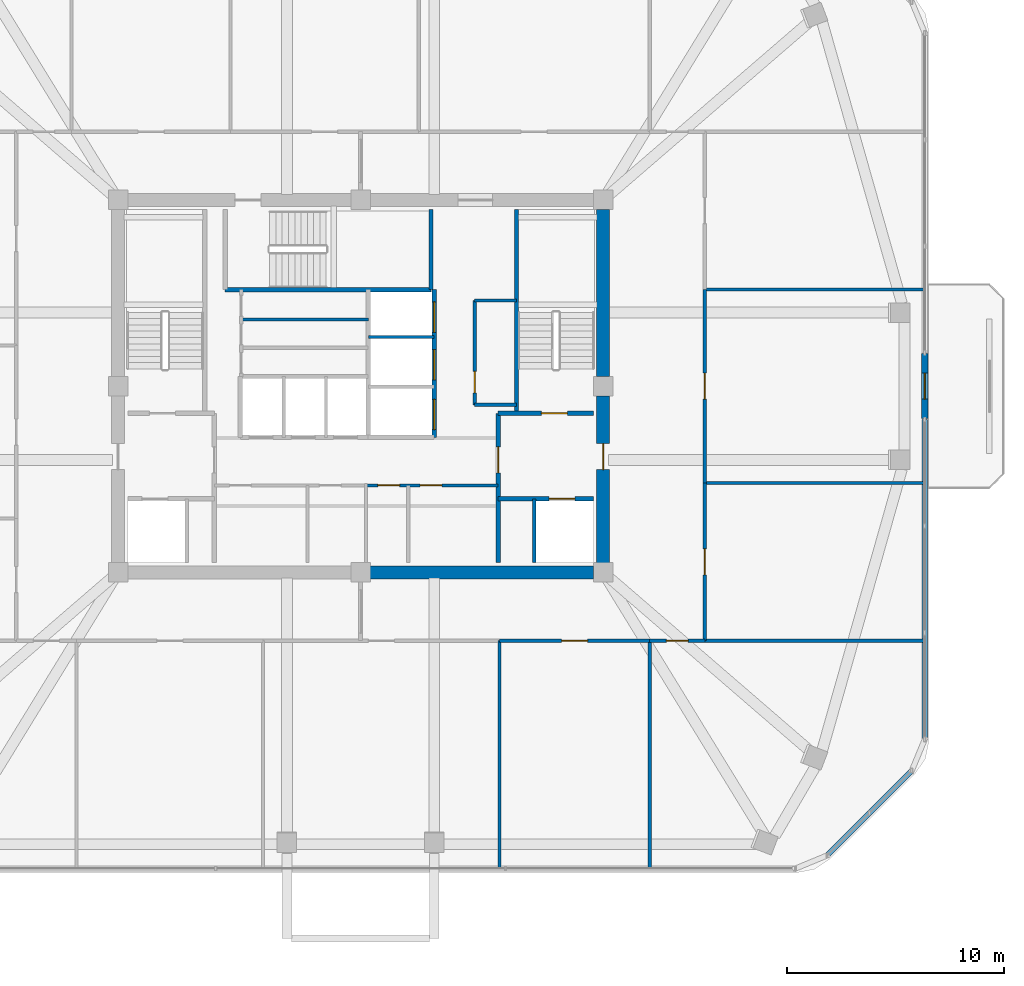
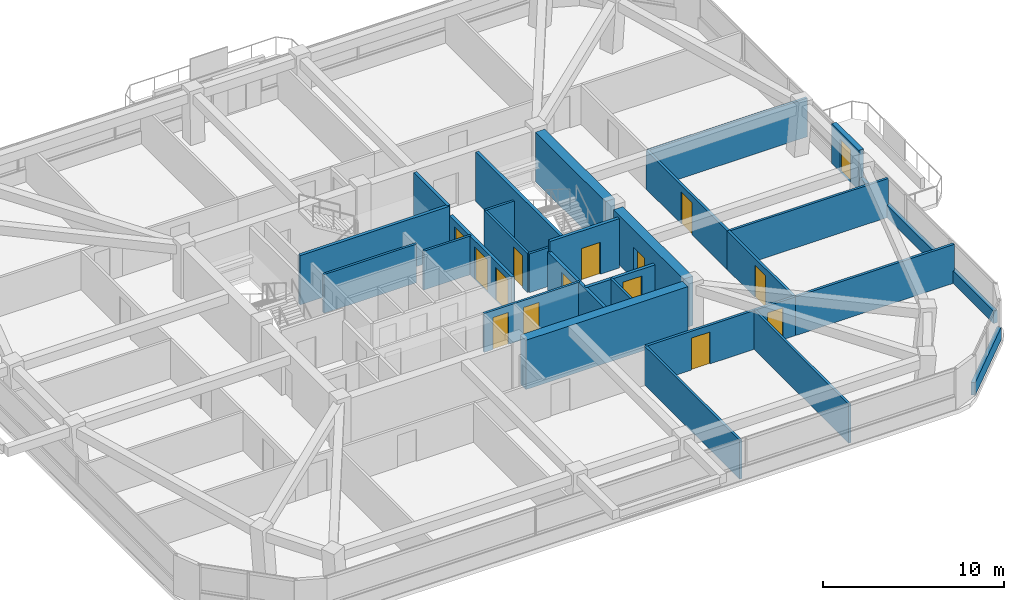
# One storey, part 10 of 14: 29 walls, 15 doors, 15 openings.
"""IFC4 building model written with IfcOpenShell, lengths in metres."""

import ifcopenshell
import ifcopenshell.guid

model = None  # the IFC model being written
_history = None  # IfcOwnerHistory: only IFC2X3 demands one
_inside = {}  # id of a spatial element -> (the spatial element, [elements in it])
_under = {}  # id of a project, library or spatial element -> (it, [spatial elements below it])
_declared = {}  # id of a project -> (the project, [libraries it declares])
_typed = {}  # id of a type object -> (the type object, [elements of that type])
_made_of = {}  # id of a material, layer set ... -> (it, [elements and type objects made of it])


def new_model(schema):
    """Start an empty IFC model of exactly this schema.

    Asked for "IFC4X3", IfcOpenShell would pick the latest addendum, in which some entities
    have other attributes; the version numbers below select the first issue.
    IFC2X3 requires an IfcOwnerHistory on every rooted entity: one is made here for all.
    """
    global model, _history
    if schema == "IFC4X3":
        model = ifcopenshell.file(schema_version=(4, 3, 0, 0))
    else:
        model = ifcopenshell.file(schema=schema)
    _inside.clear()
    _under.clear()
    _declared.clear()
    _typed.clear()
    _made_of.clear()
    _history = None
    if model.schema == "IFC2X3":
        org = make("IfcOrganization", Name="unknown")
        user = make(
            "IfcPersonAndOrganization",
            ThePerson=make("IfcPerson", FamilyName="unknown"),
            TheOrganization=org,
        )
        app = make(
            "IfcApplication",
            ApplicationDeveloper=org,
            Version="unknown",
            ApplicationFullName="unknown",
            ApplicationIdentifier="unknown",
        )
        _history = make(
            "IfcOwnerHistory",
            OwningUser=user,
            OwningApplication=app,
            ChangeAction="ADDED",
            CreationDate=0,
        )
    return model


def make(cls, **values):
    """One entity of the class cls with the attributes given. An attribute that is None is left unset."""
    return model.create_entity(
        cls, **{name: value for name, value in values.items() if value is not None}
    )


def rooted(cls, **values):
    """An entity with a GlobalId (a new one), such as an element, a storey or a relation."""
    return make(cls, GlobalId=ifcopenshell.guid.new(), OwnerHistory=_history, **values)


def si_unit(unit_type, name, prefix=None):
    """IfcSIUnit, for example si_unit("LENGTHUNIT", "METRE", prefix="MILLI")."""
    return make("IfcSIUnit", UnitType=unit_type, Prefix=prefix, Name=name)


def derived_unit(unit_type, elements):
    """IfcDerivedUnit: a product of units, each with its exponent."""
    return make(
        "IfcDerivedUnit",
        Elements=[
            make("IfcDerivedUnitElement", Unit=unit, Exponent=power)
            for unit, power in elements
        ],
        UnitType=unit_type,
    )


def assignment(units):
    """IfcUnitAssignment: the units of a project."""
    return None if units is None else make("IfcUnitAssignment", Units=units)


def point(xyz):
    """IfcCartesianPoint."""
    return None if xyz is None else make("IfcCartesianPoint", Coordinates=xyz)


def direction(xyz):
    """IfcDirection."""
    return None if xyz is None else make("IfcDirection", DirectionRatios=xyz)


def frame(location, z_axis=None, x_axis=None):
    """IfcAxis2Placement3D, a coordinate frame: its origin and axes. An axis left out is left unset."""
    return make(
        "IfcAxis2Placement3D",
        Location=point(location),
        Axis=direction(z_axis),
        RefDirection=direction(x_axis),
    )


def frame_2d(location, x_axis=None):
    """IfcAxis2Placement2D, a coordinate frame in the plane: its origin and x axis."""
    return make(
        "IfcAxis2Placement2D", Location=point(location), RefDirection=direction(x_axis)
    )


def origin():
    """The frame at (0, 0, 0) with its axes left unset."""
    return frame((0.0, 0.0, 0.0))


def place(relative_to, where):
    """IfcLocalPlacement: puts the frame where relative to a parent placement (None: the world)."""
    return make(
        "IfcLocalPlacement", PlacementRelTo=relative_to, RelativePlacement=where
    )


def context(
    kind, dimensions, precision=None, world=None, true_north=None, identifier=None
):
    """IfcGeometricRepresentationContext, for example the 3D "Model" context."""
    return make(
        "IfcGeometricRepresentationContext",
        ContextIdentifier=identifier,
        ContextType=kind,
        CoordinateSpaceDimension=dimensions,
        Precision=precision,
        WorldCoordinateSystem=world,
        TrueNorth=true_north,
    )


def subcontext(parent, identifier, kind, view, scale=None):
    """IfcGeometricRepresentationSubContext, for example "Body" below "Model"."""
    return make(
        "IfcGeometricRepresentationSubContext",
        ContextIdentifier=identifier,
        ContextType=kind,
        ParentContext=parent,
        TargetScale=scale,
        TargetView=view,
    )


def project(units=None, contexts=None):
    """IfcProject with its units and contexts."""
    return rooted(
        "IfcProject",
        Name="project",
        RepresentationContexts=contexts,
        UnitsInContext=assignment(units),
    )


def spatial(cls, under=None, at=None, **own):
    """A site, building, storey or space (cls), placed at a placement, below another one or the project."""
    s = rooted(cls, ObjectPlacement=at, **own)
    if under is not None:
        _under.setdefault(under.id(), (under, []))[1].append(s)
    return s


def profile(cls, at=None, kind="AREA", **sizes):
    """A parametric profile (cls). Its sizes go by their IFC names, for example OverallWidth=200.0."""
    return make(cls, ProfileType=kind, Position=at, **sizes)


def rectangle(**sizes):
    """IfcRectangleProfileDef."""
    return profile("IfcRectangleProfileDef", **sizes)


def extrude(swept, where, along, depth):
    """IfcExtrudedAreaSolid: the profile swept, set in the frame where, extruded along a direction by depth."""
    return make(
        "IfcExtrudedAreaSolid",
        SweptArea=swept,
        Position=where,
        ExtrudedDirection=direction(along),
        Depth=depth,
    )


def shape(context_of_items, identifier, shape_type, items):
    """IfcShapeRepresentation: the items that make up one representation, for example the "Body"."""
    return make(
        "IfcShapeRepresentation",
        ContextOfItems=context_of_items,
        RepresentationIdentifier=identifier,
        RepresentationType=shape_type,
        Items=items,
    )


def material(Name=None, Category=None):
    """IfcMaterial."""
    return make("IfcMaterial", Name=Name, Category=Category)


def layer(
    of_material, thickness, ventilated=None, Name=None, Category=None, Priority=None
):
    """IfcMaterialLayer: one layer of a wall or slab, of a material (None: an air gap)."""
    return make(
        "IfcMaterialLayer",
        Material=of_material,
        LayerThickness=thickness,
        IsVentilated=ventilated,
        Name=Name,
        Category=Category,
        Priority=Priority,
    )


def layer_set(layers, Name=None):
    """IfcMaterialLayerSet."""
    return make("IfcMaterialLayerSet", MaterialLayers=layers, LayerSetName=Name)


def made_of(thing, what):
    """Note that an element or type object is made of a material, layer set ...; save() writes the relation."""
    if what is not None:
        _made_of.setdefault(what.id(), (what, []))[1].append(thing)
    return thing


def type_object(cls, material=None, **own):
    """A type object (cls), such as IfcWallType, which elements share."""
    return made_of(rooted(cls, **own), material)


def element(
    cls,
    number,
    at=None,
    inside=None,
    cuts=None,
    type_object=None,
    material=None,
    context=None,
    identifier="Body",
    shape_type=None,
    held_by="IfcProductDefinitionShape",
    body=None,
    shapes=None,
    **own,
):
    """One element of the class cls, such as IfcWall. Its Tag is "e" and its number.

    at: its placement. inside: the storey or other place that contains it. cuts: it is an
    opening in that element (IfcRelVoidsElement). A single representation is given by context,
    identifier, shape_type and body (its items); several are given by shapes. held_by: the class
    of the entity that holds the representations. save() writes the other relations.
    """
    e = rooted(cls, Tag="e%d" % number, ObjectPlacement=at, **own)
    if body is not None:
        shapes = [shape(context, identifier, shape_type, body)]
    if shapes is not None:
        e.Representation = make(held_by, Representations=shapes)
    if inside is not None:
        _inside.setdefault(inside.id(), (inside, []))[1].append(e)
    if cuts is not None:
        rooted(
            "IfcRelVoidsElement", RelatingBuildingElement=cuts, RelatedOpeningElement=e
        )
    if type_object is not None:
        _typed.setdefault(type_object.id(), (type_object, []))[1].append(e)
    return made_of(e, material)


def fill(opening, filler):
    """IfcRelFillsElement: the door or window that sits in an opening."""
    return rooted(
        "IfcRelFillsElement",
        RelatingOpeningElement=opening,
        RelatedBuildingElement=filler,
    )


def aggregate(whole, parts):
    """IfcRelAggregates: a whole, such as a stair, and the parts it consists of."""
    return rooted("IfcRelAggregates", RelatingObject=whole, RelatedObjects=parts)


def save(model, path):
    """Write the relations noted so far, then the file.

    IfcRelAggregates (storeys below a building ...), IfcRelContainedInSpatialStructure (elements
    in a storey), IfcRelDefinesByType, IfcRelAssociatesMaterial and IfcRelDeclares: one each for
    every whole, place, type object, material and project.
    """
    for whole, parts in _under.values():
        aggregate(whole, parts)
    for where, things in _inside.values():
        rooted(
            "IfcRelContainedInSpatialStructure",
            RelatedElements=things,
            RelatingStructure=where,
        )
    for kind, things in _typed.values():
        rooted("IfcRelDefinesByType", RelatedObjects=things, RelatingType=kind)
    for what, things in _made_of.values():
        rooted("IfcRelAssociatesMaterial", RelatedObjects=things, RelatingMaterial=what)
    for by, libraries in _declared.values():
        rooted("IfcRelDeclares", RelatingContext=by, RelatedDefinitions=libraries)
    model.write(path)


model = new_model("IFC4")

# Units and contexts
model_context = context("Model", 3, precision=1e-05, world=origin(), true_north=direction((0.0, 1.0)))
body_context = subcontext(model_context, "Body", "Model", "MODEL_VIEW")
ifc_project = project(units=[si_unit("LENGTHUNIT", "METRE"), si_unit("AREAUNIT", "SQUARE_METRE"), si_unit("VOLUMEUNIT", "CUBIC_METRE"), si_unit("PLANEANGLEUNIT", "RADIAN"), si_unit("MASSUNIT", "GRAM", prefix="KILO"), derived_unit("THERMALTRANSMITTANCEUNIT", [(si_unit("POWERUNIT", "WATT"), 1), (si_unit("LENGTHUNIT", "METRE"), -2), (si_unit("THERMODYNAMICTEMPERATUREUNIT", "KELVIN"), -1)])], contexts=[model_context])

# Site, building, storey
site_placement = place(None, origin())
site = spatial("IfcSite", under=ifc_project, at=site_placement, CompositionType="ELEMENT")
building_placement = place(site_placement, origin())
building = spatial("IfcBuilding", under=site, at=building_placement, Name="Koralith Skygarden Medical Center", CompositionType="ELEMENT")
storey_placement = place(building_placement, frame((0.0, 0.0, 210.780029296875)))
storey = spatial("IfcBuildingStorey", under=building, at=storey_placement, Name="L54", CompositionType="ELEMENT", Elevation=210.780029296875)

# Wall, openings, doors
ifc_material_1 = material(Name="Gypsum Board Partition")
ifc_layer_1 = layer(ifc_material_1, 0.14990234375)
ifc_layer_set_1 = layer_set([ifc_layer_1], Name="Gypsum Board Partition")
wall_type_1 = type_object("IfcWallType", Name="Clinical Acoustic Partition 150", PredefinedType="PARTITIONING", material=ifc_layer_set_1)
wall_1_placement = place(storey_placement, frame((37.25, 21.320068359375, 0.0), z_axis=(0.0, 0.0, 1.0), x_axis=(1.0, 0.0, 0.0)))
wall_1 = element("IfcWall", 1, at=wall_1_placement, inside=storey, type_object=wall_type_1, Name="L54 Clinical Acoustic Partition 150 W-CORE-L54-FREED-MR-N", PredefinedType="PARTITIONING", context=body_context, shape_type="SweptSolid", body=[
    extrude(rectangle(XDim=6.10009765625, YDim=0.14990234375, at=frame_2d((3.050048828125, 0.0))), origin(), (0.0, 0.0, 1.0), 2.60986328125),
])
opening_1_placement = place(wall_1_placement, frame((0.550048828125, 0.0, 0.0)))
opening_1 = element("IfcOpeningElement", 2, at=opening_1_placement, cuts=wall_1, Name="Opening D-SUP", PredefinedType="OPENING", context=body_context, shape_type="SweptSolid", body=[
    extrude(rectangle(XDim=1.0, YDim=2.14990234375, at=frame_2d((0.5, 1.074951171875))), frame((0.0, 0.0849609375, 0.0), z_axis=(0.0, -1.0, 0.0), x_axis=(1.0, 0.0, 0.0)), (0.0, 0.0, 1.0), 0.169921875),
])
opening_2_placement = place(wall_1_placement, frame((2.5, 0.0, 0.0)))
opening_2 = element("IfcOpeningElement", 3, at=opening_2_placement, cuts=wall_1, Name="Opening D-SUP", PredefinedType="OPENING", context=body_context, shape_type="SweptSolid", body=[
    extrude(rectangle(XDim=1.0, YDim=2.14990234375, at=frame_2d((0.5, 1.074951171875))), frame((0.0, 0.0849609375, 0.0), z_axis=(0.0, -1.0, 0.0), x_axis=(1.0, 0.0, 0.0)), (0.0, 0.0, 1.0), 0.169921875),
])
ifc_material_2 = material(Name="Aluminium 6063-T6", Category="aluminium")
door_type_1 = type_object("IfcDoorType", Name="Clinical Support Door D-SUP 1000", OperationType="NOTDEFINED", PredefinedType="DOOR", material=ifc_material_2)
door_1_placement = place(opening_1_placement, frame((1.0, 0.0, 0.0), z_axis=(0.0, 0.0, 1.0), x_axis=(-1.0, 0.0, 0.0)))
door_1 = element("IfcDoor", 4, at=door_1_placement, inside=storey, type_object=door_type_1, Name="L54 Satellite Pharmacy Door", OperationType="SINGLE_SWING_LEFT", OverallHeight=2.14990234375, OverallWidth=1.0, PredefinedType="DOOR", context=body_context, shape_type="SweptSolid", body=[
    extrude(rectangle(XDim=1.0, YDim=2.14990234375, at=frame_2d((0.5, 1.074951171875))), frame((0.0, 0.02490234375, 0.0), z_axis=(0.0, -1.0, 0.0), x_axis=(1.0, 0.0, 0.0)), (0.0, 0.0, 1.0), 0.050048828125),
])
fill(opening_1, door_1)
door_2_placement = place(opening_2_placement, frame((1.0, 0.0, 0.0), z_axis=(0.0, 0.0, 1.0), x_axis=(-1.0, 0.0, 0.0)))
door_2 = element("IfcDoor", 5, at=door_2_placement, inside=storey, type_object=door_type_1, Name="L54 Biomedical Equipment Door", OperationType="SINGLE_SWING_RIGHT", OverallHeight=2.14990234375, OverallWidth=1.0, PredefinedType="DOOR", context=body_context, shape_type="SweptSolid", body=[
    extrude(rectangle(XDim=1.0, YDim=2.14990234375, at=frame_2d((0.5, 1.074951171875))), frame((0.0, 0.02490234375, 0.0), z_axis=(0.0, -1.0, 0.0), x_axis=(1.0, 0.0, 0.0)), (0.0, 0.0, 1.0), 0.050048828125),
])
fill(opening_2, door_2)

# Wall, opening, door
wall_2_placement = place(storey_placement, frame((42.27001953125, 25.0400390625, 0.0), z_axis=(0.0, 0.0, 1.0), x_axis=(0.0, 1.0, 0.0)))
wall_2 = element("IfcWall", 6, at=wall_2_placement, inside=storey, type_object=wall_type_1, Name="L54 Clinical Acoustic Partition 150 W-CORE-L54-ESUB-W", PredefinedType="PARTITIONING", context=body_context, shape_type="SweptSolid", body=[
    extrude(rectangle(XDim=4.820068359375, YDim=0.14990234375, at=frame_2d((2.41015625, 0.0))), origin(), (0.0, 0.0, 1.0), 2.60986328125),
])
opening_3_placement = place(wall_2_placement, frame((0.550048828125, 0.0, 0.0)))
opening_3 = element("IfcOpeningElement", 7, at=opening_3_placement, cuts=wall_2, Name="Opening D-SUP", PredefinedType="OPENING", context=body_context, shape_type="SweptSolid", body=[
    extrude(rectangle(XDim=1.0, YDim=2.14990234375, at=frame_2d((0.5, 1.074951171875))), frame((0.0, 0.0849609375, 0.0), z_axis=(0.0, -1.0, 0.0), x_axis=(1.0, 0.0, 0.0)), (0.0, 0.0, 1.0), 0.169921875),
])
door_3_placement = place(opening_3_placement, origin())
door_3 = element("IfcDoor", 8, at=door_3_placement, inside=storey, type_object=door_type_1, Name="L54 Core Equipment Store Door", OperationType="SINGLE_SWING_LEFT", OverallHeight=2.14990234375, OverallWidth=1.0, PredefinedType="DOOR", context=body_context, shape_type="SweptSolid", body=[
    extrude(rectangle(XDim=1.0, YDim=2.14990234375, at=frame_2d((0.5, 1.074951171875))), frame((0.0, 0.02490234375, 0.0), z_axis=(0.0, -1.0, 0.0), x_axis=(1.0, 0.0, 0.0)), (0.0, 0.0, 1.0), 0.050048828125),
])
fill(opening_3, door_3)

# Walls
for number, where, z_axis, x_axis, name in (
    (9, (42.27001953125, 25.0400390625, 0.0), (0.0, 0.0, 1.0), (1.0, 0.0, 0.0), "L54 Clinical Acoustic Partition 150 W-CORE-L54-ESUB-S"),
    (10, (42.27001953125, 29.860107421875, 0.0), (0.0, 0.0, 1.0), (1.0, 0.0, 0.0), "L54 Clinical Acoustic Partition 150 W-CORE-L54-ESUB-N"),
):
    element("IfcWall", number, at=place(storey_placement, frame(where, z_axis=z_axis, x_axis=x_axis)), inside=storey, type_object=wall_type_1, Name=name, PredefinedType="PARTITIONING", context=body_context, shape_type="SweptSolid", body=[
        extrude(rectangle(XDim=1.929931640625, YDim=0.14990234375, at=frame_2d((0.96484375, 0.0))), origin(), (0.0, 0.0, 1.0), 2.60986328125),
    ])
wall_3_placement = place(storey_placement, frame((31.47998046875, 28.97998046875, 0.0), z_axis=(0.0, 0.0, 1.0), x_axis=(1.0, 0.0, 0.0)))
element("IfcWall", 11, at=wall_3_placement, inside=storey, type_object=wall_type_1, Name="L54 Clinical Acoustic Partition 150 W-CORE-L54-FLEX-H1B", PredefinedType="PARTITIONING", context=body_context, shape_type="SweptSolid", body=[
    extrude(rectangle(XDim=5.89013671875, YDim=0.14990234375, at=frame_2d((2.945068359375, 0.0))), origin(), (0.0, 0.0, 1.0), 2.60986328125),
])
for number, where, z_axis, x_axis, name in (
    (12, (43.4189453125, 14.14990234375, 0.0), (0.0, 0.0, 1.0), (0.0, -1.0, 0.0), "L54 Clinical Acoustic Partition 150 W-PART-L54-S-03"),
    (13, (50.35009765625, 14.14990234375, 0.0), (0.0, 0.0, 1.0), (0.0, -1.0, 0.0), "L54 Clinical Acoustic Partition 150 W-PART-L54-S-04"),
):
    element("IfcWall", number, at=place(storey_placement, frame(where, z_axis=z_axis, x_axis=x_axis)), inside=storey, type_object=wall_type_1, Name=name, PredefinedType="PARTITIONING", context=body_context, shape_type="SweptSolid", body=[
        extrude(rectangle(XDim=10.5029296875, YDim=0.14990234375, at=frame_2d((5.25146484375, 0.0))), origin(), (0.0, 0.0, 1.0), 2.60986328125),
    ])
for number, where, z_axis, x_axis, name in (
    (14, (52.89990234375, 21.43505859375, 0.0), (0.0, 0.0, 1.0), (1.0, 0.0, 0.0), "L54 Clinical Acoustic Partition 150 W-PART-L54-E-01"),
    (15, (52.89990234375, 30.364990234375, 0.0), (0.0, 0.0, 1.0), (1.0, 0.0, 0.0), "L54 Clinical Acoustic Partition 150 W-PART-L54-E-02"),
):
    element("IfcWall", number, at=place(storey_placement, frame(where, z_axis=z_axis, x_axis=x_axis)), inside=storey, type_object=wall_type_1, Name=name, PredefinedType="PARTITIONING", context=body_context, shape_type="SweptSolid", body=[
        extrude(rectangle(XDim=10.135009765625, YDim=0.14990234375, at=frame_2d((5.0673828125, 0.0))), origin(), (0.0, 0.0, 1.0), 2.60986328125),
    ])
ifc_layer_2 = layer(ifc_material_1, 0.1650390625)
ifc_layer_set_2 = layer_set([ifc_layer_2], Name="Gypsum Board Partition")
wall_type_2 = type_object("IfcWallType", Name="Clinical Corridor Partition 165", PredefinedType="PARTITIONING", material=ifc_layer_set_2)
wall_4_placement = place(storey_placement, frame((52.89990234375, 14.14990234375, 0.0), z_axis=(0.0, 0.0, 1.0), x_axis=(1.0, 0.0, 0.0)))
element("IfcWall", 16, at=wall_4_placement, inside=storey, type_object=wall_type_2, Name="L54 Clinical Corridor Partition 165 W-WB-L54-SE", PredefinedType="PARTITIONING", context=body_context, shape_type="SweptSolid", body=[
    extrude(rectangle(XDim=10.135009765625, YDim=0.1650390625, at=frame_2d((5.0673828125, 0.0))), origin(), (0.0, 0.0, 1.0), 2.60986328125),
])

# Wall, opening, door
wall_5_placement = place(storey_placement, frame((43.4189453125, 14.14990234375, 0.0), z_axis=(0.0, 0.0, 1.0), x_axis=(1.0, 0.0, 0.0)))
wall_5 = element("IfcWall", 17, at=wall_5_placement, inside=storey, type_object=wall_type_2, Name="L54 Clinical Corridor Partition 165 W-CORR-L54-S-04", PredefinedType="PARTITIONING", context=body_context, shape_type="SweptSolid", body=[
    extrude(rectangle(XDim=6.93115234375, YDim=0.1650390625, at=frame_2d((3.465576171875, 0.0))), origin(), (0.0, 0.0, 1.0), 2.60986328125),
])
opening_4_placement = place(wall_5_placement, frame((2.865966796875, 0.0, 0.0)))
opening_4 = element("IfcOpeningElement", 18, at=opening_4_placement, cuts=wall_5, Name="Opening D-CLN", PredefinedType="OPENING", context=body_context, shape_type="SweptSolid", body=[
    extrude(rectangle(XDim=1.199951171875, YDim=2.14990234375, at=frame_2d((0.60009765625, 1.074951171875))), frame((0.0, 0.092529296875, 0.0), z_axis=(0.0, -1.0, 0.0), x_axis=(1.0, 0.0, 0.0)), (0.0, 0.0, 1.0), 0.18505859375),
])
door_type_2 = type_object("IfcDoorType", Name="Clinical Corridor Door D-CLN 1200", OperationType="NOTDEFINED", PredefinedType="DOOR", material=ifc_material_2)
door_4_placement = place(opening_4_placement, frame((1.199951171875, 0.0, 0.0), z_axis=(0.0, 0.0, 1.0), x_axis=(-1.0, 0.0, 0.0)))
door_4 = element("IfcDoor", 19, at=door_4_placement, inside=storey, type_object=door_type_2, Name="L54 Clinical Consultation Office 09 Door", OperationType="SINGLE_SWING_RIGHT", OverallHeight=2.14990234375, OverallWidth=1.199951171875, PredefinedType="DOOR", context=body_context, shape_type="SweptSolid", body=[
    extrude(rectangle(XDim=1.199951171875, YDim=2.14990234375, at=frame_2d((0.60009765625, 1.074951171875))), frame((0.0, 0.02490234375, 0.0), z_axis=(0.0, -1.0, 0.0), x_axis=(1.0, 0.0, 0.0)), (0.0, 0.0, 1.0), 0.050048828125),
])
fill(opening_4, door_4)

wall_6_placement = place(storey_placement, frame((50.35009765625, 14.14990234375, 0.0), z_axis=(0.0, 0.0, 1.0), x_axis=(1.0, 0.0, 0.0)))
wall_6 = element("IfcWall", 20, at=wall_6_placement, inside=storey, type_object=wall_type_2, Name="L54 Clinical Corridor Partition 165 W-CORR-L54-S-05", PredefinedType="PARTITIONING", context=body_context, shape_type="SweptSolid", body=[
    extrude(rectangle(XDim=2.5498046875, YDim=0.1650390625, at=frame_2d((1.27490234375, 0.0))), origin(), (0.0, 0.0, 1.0), 2.60986328125),
])
opening_5_placement = place(wall_6_placement, frame((0.77490234375, 0.0, 0.0)))
opening_5 = element("IfcOpeningElement", 21, at=opening_5_placement, cuts=wall_6, Name="Opening D-SUP", PredefinedType="OPENING", context=body_context, shape_type="SweptSolid", body=[
    extrude(rectangle(XDim=1.0, YDim=2.14990234375, at=frame_2d((0.5, 1.074951171875))), frame((0.0, 0.092529296875, 0.0), z_axis=(0.0, -1.0, 0.0), x_axis=(1.0, 0.0, 0.0)), (0.0, 0.0, 1.0), 0.18505859375),
])
door_5_placement = place(opening_5_placement, frame((1.0, 0.0, 0.0), z_axis=(0.0, 0.0, 1.0), x_axis=(-1.0, 0.0, 0.0)))
door_5 = element("IfcDoor", 22, at=door_5_placement, inside=storey, type_object=door_type_1, Name="L54 Pharmacy Bulk IV Supply Store 10 Door", OperationType="SINGLE_SWING_LEFT", OverallHeight=2.14990234375, OverallWidth=1.0, PredefinedType="DOOR", context=body_context, shape_type="SweptSolid", body=[
    extrude(rectangle(XDim=1.0, YDim=2.14990234375, at=frame_2d((0.5, 1.074951171875))), frame((0.0, 0.02490234375, 0.0), z_axis=(0.0, -1.0, 0.0), x_axis=(1.0, 0.0, 0.0)), (0.0, 0.0, 1.0), 0.050048828125),
])
fill(opening_5, door_5)

wall_7_placement = place(storey_placement, frame((52.89990234375, 14.14990234375, 0.0), z_axis=(0.0, 0.0, 1.0), x_axis=(0.0, 1.0, 0.0)))
wall_7 = element("IfcWall", 23, at=wall_7_placement, inside=storey, type_object=wall_type_2, Name="L54 Clinical Corridor Partition 165 W-CORR-L54-E-01", PredefinedType="PARTITIONING", context=body_context, shape_type="SweptSolid", body=[
    extrude(rectangle(XDim=7.28515625, YDim=0.1650390625, at=frame_2d((3.642578125, 0.0))), origin(), (0.0, 0.0, 1.0), 2.60986328125),
])
opening_6_placement = place(wall_7_placement, frame((3.0419921875, 0.0, 0.0)))
opening_6 = element("IfcOpeningElement", 24, at=opening_6_placement, cuts=wall_7, Name="Opening D-CLN", PredefinedType="OPENING", context=body_context, shape_type="SweptSolid", body=[
    extrude(rectangle(XDim=1.199951171875, YDim=2.14990234375, at=frame_2d((0.60009765625, 1.074951171875))), frame((0.0, 0.092529296875, 0.0), z_axis=(0.0, -1.0, 0.0), x_axis=(1.0, 0.0, 0.0)), (0.0, 0.0, 1.0), 0.18505859375),
])
door_6_placement = place(opening_6_placement, origin())
door_6 = element("IfcDoor", 25, at=door_6_placement, inside=storey, type_object=door_type_2, Name="L54 Pharmacy Bulk IV Supply Store 14 Door", OperationType="SINGLE_SWING_LEFT", OverallHeight=2.14990234375, OverallWidth=1.199951171875, PredefinedType="DOOR", context=body_context, shape_type="SweptSolid", body=[
    extrude(rectangle(XDim=1.199951171875, YDim=2.14990234375, at=frame_2d((0.60009765625, 1.074951171875))), frame((0.0, 0.02490234375, 0.0), z_axis=(0.0, -1.0, 0.0), x_axis=(1.0, 0.0, 0.0)), (0.0, 0.0, 1.0), 0.050048828125),
])
fill(opening_6, door_6)

wall_8_placement = place(storey_placement, frame((52.89990234375, 21.43505859375, 0.0), z_axis=(0.0, 0.0, 1.0), x_axis=(0.0, 1.0, 0.0)))
wall_8 = element("IfcWall", 26, at=wall_8_placement, inside=storey, type_object=wall_type_2, Name="L54 Clinical Corridor Partition 165 W-CORR-L54-E-02", PredefinedType="PARTITIONING", context=body_context, shape_type="SweptSolid", body=[
    extrude(rectangle(XDim=8.929931640625, YDim=0.1650390625, at=frame_2d((4.46484375, 0.0))), origin(), (0.0, 0.0, 1.0), 2.60986328125),
])
opening_7_placement = place(wall_8_placement, frame((3.864990234375, 0.0, 0.0)))
opening_7 = element("IfcOpeningElement", 27, at=opening_7_placement, cuts=wall_8, Name="Opening D-CLN", PredefinedType="OPENING", context=body_context, shape_type="SweptSolid", body=[
    extrude(rectangle(XDim=1.199951171875, YDim=2.14990234375, at=frame_2d((0.60009765625, 1.074951171875))), frame((0.0, 0.092529296875, 0.0), z_axis=(0.0, -1.0, 0.0), x_axis=(1.0, 0.0, 0.0)), (0.0, 0.0, 1.0), 0.18505859375),
])
door_7_placement = place(opening_7_placement, origin())
door_7 = element("IfcDoor", 28, at=door_7_placement, inside=storey, type_object=door_type_2, Name="L54 Patient and Family Sky-Garden Day Lounge 15 Door", OperationType="SINGLE_SWING_RIGHT", OverallHeight=2.14990234375, OverallWidth=1.199951171875, PredefinedType="DOOR", context=body_context, shape_type="SweptSolid", body=[
    extrude(rectangle(XDim=1.199951171875, YDim=2.14990234375, at=frame_2d((0.60009765625, 1.074951171875))), frame((0.0, 0.02490234375, 0.0), z_axis=(0.0, -1.0, 0.0), x_axis=(1.0, 0.0, 0.0)), (0.0, 0.0, 1.0), 0.050048828125),
])
fill(opening_7, door_7)

ifc_layer_3 = layer(ifc_material_1, 0.199951171875)
ifc_layer_set_3 = layer_set([ifc_layer_3], Name="Gypsum Board Partition")
wall_type_3 = type_object("IfcWallType", Name="Fire Shaft Wall 200", PredefinedType="SOLIDWALL", material=ifc_layer_set_3)
wall_9_placement = place(storey_placement, frame((43.35009765625, 20.699951171875, 0.0), z_axis=(0.0, 0.0, 1.0), x_axis=(1.0, 0.0, 0.0)))
wall_9 = element("IfcWall", 29, at=wall_9_placement, inside=storey, type_object=wall_type_3, Name="L54 Fire Shaft Wall 200 W-CORE-L54-FF2-N", PredefinedType="SOLIDWALL", context=body_context, shape_type="SweptSolid", body=[
    extrude(rectangle(XDim=4.39990234375, YDim=0.199951171875, at=frame_2d((2.199951171875, 0.0))), origin(), (0.0, 0.0, 1.0), 2.60986328125),
])
opening_8_placement = place(wall_9_placement, frame((2.35009765625, 0.0, 0.0)))
opening_8 = element("IfcOpeningElement", 30, at=opening_8_placement, cuts=wall_9, Name="Opening LD-FF", PredefinedType="OPENING", context=body_context, shape_type="SweptSolid", body=[
    extrude(rectangle(XDim=1.199951171875, YDim=2.14990234375, at=frame_2d((0.60009765625, 1.074951171875))), frame((0.0, 0.10986328125, 0.0), z_axis=(0.0, -1.0, 0.0), x_axis=(1.0, 0.0, 0.0)), (0.0, 0.0, 1.0), 0.219970703125),
])
ifc_material_3 = material(Name="Steel ASTM A500 Grade C", Category="steel")
door_type_3 = type_object("IfcDoorType", Name="Fire Lift Sliding Landing Door LD-FF 1200", OperationType="NOTDEFINED", PredefinedType="DOOR", material=ifc_material_3)
door_8_placement = place(opening_8_placement, origin())
door_8 = element("IfcDoor", 31, at=door_8_placement, inside=storey, type_object=door_type_3, Name="L54 Fire Service Elevator FF2 Landing Door", OperationType="SLIDING_TO_RIGHT", OverallHeight=2.14990234375, OverallWidth=1.199951171875, PredefinedType="DOOR", context=body_context, shape_type="SweptSolid", body=[
    extrude(rectangle(XDim=1.199951171875, YDim=2.14990234375, at=frame_2d((0.60009765625, 1.074951171875))), frame((0.0, 0.02490234375, 0.0), z_axis=(0.0, -1.0, 0.0), x_axis=(1.0, 0.0, 0.0)), (0.0, 0.0, 1.0), 0.050048828125),
])
fill(opening_8, door_8)

wall_10_placement = place(storey_placement, frame((43.35009765625, 17.75, 0.0), z_axis=(0.0, 0.0, 1.0), x_axis=(0.0, 1.0, 0.0)))
wall_10 = element("IfcWall", 32, at=wall_10_placement, inside=storey, type_object=wall_type_3, Name="L54 Fire Shaft Wall 200 W-CORE-L54-FSAEE-W", PredefinedType="SOLIDWALL", context=body_context, shape_type="SweptSolid", body=[
    extrude(rectangle(XDim=6.89990234375, YDim=0.199951171875, at=frame_2d((3.449951171875, 0.0))), origin(), (0.0, 0.0, 1.0), 2.60986328125),
])
opening_9_placement = place(wall_10_placement, frame((4.14990234375, 0.0, 0.0)))
opening_9 = element("IfcOpeningElement", 33, at=opening_9_placement, cuts=wall_10, Name="Opening D-ST60", PredefinedType="OPENING", context=body_context, shape_type="SweptSolid", body=[
    extrude(rectangle(XDim=1.199951171875, YDim=2.14990234375, at=frame_2d((0.60009765625, 1.074951171875))), frame((0.0, 0.10986328125, 0.0), z_axis=(0.0, -1.0, 0.0), x_axis=(1.0, 0.0, 0.0)), (0.0, 0.0, 1.0), 0.219970703125),
])
door_type_4 = type_object("IfcDoorType", Name="Smokeproof Stair Fire Door FD60S 1200", OperationType="NOTDEFINED", PredefinedType="DOOR", material=ifc_material_3)
door_9_placement = place(opening_9_placement, frame((1.199951171875, 0.0, 0.0), z_axis=(0.0, 0.0, 1.0), x_axis=(-1.0, 0.0, 0.0)))
door_9 = element("IfcDoor", 34, at=door_9_placement, inside=storey, type_object=door_type_4, Name="L54 East Firefighting Lobby Inner Fire Door", OperationType="SINGLE_SWING_RIGHT", OverallHeight=2.14990234375, OverallWidth=1.199951171875, PredefinedType="DOOR", context=body_context, shape_type="SweptSolid", body=[
    extrude(rectangle(XDim=1.199951171875, YDim=2.14990234375, at=frame_2d((0.60009765625, 1.074951171875))), frame((0.0, 0.02490234375, 0.0), z_axis=(0.0, -1.0, 0.0), x_axis=(1.0, 0.0, 0.0)), (0.0, 0.0, 1.0), 0.050048828125),
])
fill(opening_9, door_9)

# Wall, openings, doors
wall_11_placement = place(storey_placement, frame((40.39990234375, 23.5400390625, 0.0), z_axis=(0.0, 0.0, 1.0), x_axis=(0.0, 1.0, 0.0)))
wall_11 = element("IfcWall", 35, at=wall_11_placement, inside=storey, type_object=wall_type_3, Name="L54 Fire Shaft Wall 200 W-CORE-L54-SV-E", PredefinedType="SOLIDWALL", context=body_context, shape_type="SweptSolid", body=[
    extrude(rectangle(XDim=6.820068359375, YDim=0.199951171875, at=frame_2d((3.41015625, 0.0))), origin(), (0.0, 0.0, 1.0), 2.60986328125),
])
opening_10_placement = place(wall_11_placement, frame((0.35009765625, 0.0, 0.0)))
opening_10 = element("IfcOpeningElement", 36, at=opening_10_placement, cuts=wall_11, Name="Opening LD-SV", PredefinedType="OPENING", context=body_context, shape_type="SweptSolid", body=[
    extrude(rectangle(XDim=1.39990234375, YDim=2.199951171875, at=frame_2d((0.699951171875, 1.10009765625))), frame((0.0, 0.10986328125, 0.0), z_axis=(0.0, -1.0, 0.0), x_axis=(1.0, 0.0, 0.0)), (0.0, 0.0, 1.0), 0.219970703125),
])
opening_11_placement = place(wall_11_placement, frame((2.64990234375, 0.0, 0.0)))
opening_11 = element("IfcOpeningElement", 37, at=opening_11_placement, cuts=wall_11, Name="Opening LD-SV", PredefinedType="OPENING", context=body_context, shape_type="SweptSolid", body=[
    extrude(rectangle(XDim=1.39990234375, YDim=2.199951171875, at=frame_2d((0.699951171875, 1.10009765625))), frame((0.0, 0.10986328125, 0.0), z_axis=(0.0, -1.0, 0.0), x_axis=(1.0, 0.0, 0.0)), (0.0, 0.0, 1.0), 0.219970703125),
])
opening_12_placement = place(wall_11_placement, frame((4.85009765625, 0.0, 0.0)))
opening_12 = element("IfcOpeningElement", 38, at=opening_12_placement, cuts=wall_11, Name="Opening LD-SV", PredefinedType="OPENING", context=body_context, shape_type="SweptSolid", body=[
    extrude(rectangle(XDim=1.39990234375, YDim=2.199951171875, at=frame_2d((0.699951171875, 1.10009765625))), frame((0.0, 0.10986328125, 0.0), z_axis=(0.0, -1.0, 0.0), x_axis=(1.0, 0.0, 0.0)), (0.0, 0.0, 1.0), 0.219970703125),
])
door_type_5 = type_object("IfcDoorType", Name="Bed Lift Sliding Landing Door LD-SV 1400", OperationType="NOTDEFINED", PredefinedType="DOOR", material=ifc_material_3)
door_10_placement = place(opening_10_placement, origin())
door_10 = element("IfcDoor", 39, at=door_10_placement, inside=storey, type_object=door_type_5, Name="L54 Bed Elevator BD1 Landing Door", OperationType="SLIDING_TO_LEFT", OverallHeight=2.199951171875, OverallWidth=1.39990234375, PredefinedType="DOOR", context=body_context, shape_type="SweptSolid", body=[
    extrude(rectangle(XDim=1.39990234375, YDim=2.199951171875, at=frame_2d((0.699951171875, 1.10009765625))), frame((0.0, 0.02490234375, 0.0), z_axis=(0.0, -1.0, 0.0), x_axis=(1.0, 0.0, 0.0)), (0.0, 0.0, 1.0), 0.050048828125),
])
fill(opening_10, door_10)
door_11_placement = place(opening_11_placement, origin())
door_11 = element("IfcDoor", 40, at=door_11_placement, inside=storey, type_object=door_type_5, Name="L54 Service Elevator BD2 Landing Door", OperationType="SLIDING_TO_LEFT", OverallHeight=2.199951171875, OverallWidth=1.39990234375, PredefinedType="DOOR", context=body_context, shape_type="SweptSolid", body=[
    extrude(rectangle(XDim=1.39990234375, YDim=2.199951171875, at=frame_2d((0.699951171875, 1.10009765625))), frame((0.0, 0.02490234375, 0.0), z_axis=(0.0, -1.0, 0.0), x_axis=(1.0, 0.0, 0.0)), (0.0, 0.0, 1.0), 0.050048828125),
])
fill(opening_11, door_11)
door_12_placement = place(opening_12_placement, origin())
door_12 = element("IfcDoor", 41, at=door_12_placement, inside=storey, type_object=door_type_5, Name="L54 Trauma Elevator TR1 Landing Door", OperationType="SLIDING_TO_RIGHT", OverallHeight=2.199951171875, OverallWidth=1.39990234375, PredefinedType="DOOR", context=body_context, shape_type="SweptSolid", body=[
    extrude(rectangle(XDim=1.39990234375, YDim=2.199951171875, at=frame_2d((0.699951171875, 1.10009765625))), frame((0.0, 0.02490234375, 0.0), z_axis=(0.0, -1.0, 0.0), x_axis=(1.0, 0.0, 0.0)), (0.0, 0.0, 1.0), 0.050048828125),
])
fill(opening_12, door_12)

# Walls
ifc_material_4 = material(Name="Warm Oolitic Limestone Cladding", Category="masonry")
ifc_layer_4 = layer(ifc_material_4, 0.239990234375)
ifc_layer_set_4 = layer_set([ifc_layer_4], Name="Warm Oolitic Limestone Cladding")
wall_type_4 = type_object("IfcWallType", Name="Limestone Spandrel Sill Backup Wall 240", PredefinedType="SOLIDWALL", material=ifc_layer_set_4)
wall_12_placement = place(storey_placement, frame((58.531005859375, 4.22802734375, 0.0), z_axis=(0.0, 0.0, 1.0), x_axis=(0.707128783731, 0.707084777957, 0.0)))
element("IfcWall", 42, at=wall_12_placement, inside=storey, type_object=wall_type_4, Name="L54 Sill Spandrel SE", PredefinedType="SOLIDWALL", context=body_context, shape_type="SweptSolid", body=[
    extrude(rectangle(XDim=5.5478515625, YDim=0.239990234375, at=frame_2d((2.77392578125, 0.0))), origin(), (0.0, 0.0, 1.0), 0.849853515625),
])
wall_13_placement = place(storey_placement, frame((63.054931640625, 9.60205078125, 0.0), z_axis=(0.0, 0.0, 1.0), x_axis=(0.0, 1.0, 0.0)))
element("IfcWall", 43, at=wall_13_placement, inside=storey, type_object=wall_type_4, Name="L54 Sill Spandrel E-L", PredefinedType="SOLIDWALL", context=body_context, shape_type="SweptSolid", body=[
    extrude(rectangle(XDim=14.7568359375, YDim=0.239990234375, at=frame_2d((7.37841796875, 0.0))), origin(), (0.0, 0.0, 1.0), 0.849853515625),
])

# Wall, opening, door
ifc_layer_5 = layer(ifc_material_4, 0.300048828125)
ifc_layer_set_5 = layer_set([ifc_layer_5], Name="Warm Oolitic Limestone Cladding")
wall_type_5 = type_object("IfcWallType", Name="Oolitic Limestone Insulated Facade Wall 300", PredefinedType="SOLIDWALL", material=ifc_layer_set_5)
wall_14_placement = place(storey_placement, frame((63.054931640625, 24.39892578125, 0.0), z_axis=(0.0, 0.0, 1.0), x_axis=(0.0, 1.0, 0.0)))
wall_14 = element("IfcWall", 44, at=wall_14_placement, inside=storey, type_object=wall_type_5, Name="L54 Terrace Portal Wall E", PredefinedType="SOLIDWALL", context=body_context, shape_type="SweptSolid", body=[
    extrude(rectangle(XDim=3.0, YDim=0.300048828125, at=frame_2d((1.5, 0.0))), origin(), (0.0, 0.0, 1.0), 2.68994140625),
])
opening_13_placement = place(wall_14_placement, frame((0.89990234375, 0.0, 0.0)))
opening_13 = element("IfcOpeningElement", 45, at=opening_13_placement, cuts=wall_14, Name="Opening D-BAL", PredefinedType="OPENING", context=body_context, shape_type="SweptSolid", body=[
    extrude(rectangle(XDim=1.199951171875, YDim=2.199951171875, at=frame_2d((0.60009765625, 1.10009765625))), frame((0.0, 0.159912109375, 0.0), z_axis=(0.0, -1.0, 0.0), x_axis=(1.0, 0.0, 0.0)), (0.0, 0.0, 1.0), 0.320068359375),
])
door_type_6 = type_object("IfcDoorType", Name="Planted Balcony Glazed Terrace Door D-BAL 1200", OperationType="NOTDEFINED", PredefinedType="DOOR", material=ifc_material_2)
door_13_placement = place(opening_13_placement, origin())
door_13 = element("IfcDoor", 46, at=door_13_placement, inside=storey, type_object=door_type_6, Name="L54 E Outdoor Terrace Access Door", OperationType="SINGLE_SWING_LEFT", OverallHeight=2.199951171875, OverallWidth=1.199951171875, PredefinedType="DOOR", context=body_context, shape_type="SweptSolid", body=[
    extrude(rectangle(XDim=1.199951171875, YDim=2.199951171875, at=frame_2d((0.60009765625, 1.10009765625))), frame((0.0, 0.02490234375, 0.0), z_axis=(0.0, -1.0, 0.0), x_axis=(1.0, 0.0, 0.0)), (0.0, 0.0, 1.0), 0.050048828125),
])
fill(opening_13, door_13)

# Walls
ifc_layer_6 = layer(ifc_material_1, 0.14990234375)
ifc_layer_set_6 = layer_set([ifc_layer_6], Name="Gypsum Board Partition")
wall_type_6 = type_object("IfcWallType", Name="Shaft Partition Wall 150", PredefinedType="PARTITIONING", material=ifc_layer_set_6)
wall_15_placement = place(storey_placement, frame((45.02001953125, 17.75, 0.0), z_axis=(0.0, 0.0, 1.0), x_axis=(0.0, 1.0, 0.0)))
element("IfcWall", 47, at=wall_15_placement, inside=storey, type_object=wall_type_6, Name="L54 Shaft Partition Wall 150 W-CORE-L54-RSRE-DIV", PredefinedType="PARTITIONING", context=body_context, shape_type="SweptSolid", body=[
    extrude(rectangle(XDim=2.949951171875, YDim=0.14990234375, at=frame_2d((1.47509765625, 0.0))), origin(), (0.0, 0.0, 1.0), 2.60986328125),
])
wall_16_placement = place(storey_placement, frame((37.3701171875, 28.169921875, 0.0), z_axis=(0.0, 0.0, 1.0), x_axis=(1.0, 0.0, 0.0)))
element("IfcWall", 48, at=wall_16_placement, inside=storey, type_object=wall_type_6, Name="L54 Shaft Partition Wall 150 W-CORE-L54-SV-D2", PredefinedType="PARTITIONING", context=body_context, shape_type="SweptSolid", body=[
    extrude(rectangle(XDim=3.009765625, YDim=0.14990234375, at=frame_2d((1.5048828125, 0.0))), origin(), (0.0, 0.0, 1.0), 2.60986328125),
])
ifc_material_5 = material(Name="Concrete C45/55", Category="concrete")
ifc_layer_7 = layer(ifc_material_5, 0.199951171875)
ifc_layer_set_7 = layer_set([ifc_layer_7], Name="Concrete C45/55")
wall_type_7 = type_object("IfcWallType", Name="Structural Stair Shaft Wall 200", PredefinedType="SHEAR", material=ifc_layer_set_7)
wall_17_placement = place(storey_placement, frame((44.199951171875, 24.64990234375, 0.0), z_axis=(0.0, 0.0, 1.0), x_axis=(0.0, 1.0, 0.0)))
element("IfcWall", 49, at=wall_17_placement, inside=storey, type_object=wall_type_7, Name="L54 Structural Stair Shaft Wall 200 W-CORE-L54-ST2-W", PredefinedType="SHEAR", context=body_context, shape_type="SweptSolid", body=[
    extrude(rectangle(XDim=9.400146484375, YDim=0.199951171875, at=frame_2d((4.7001953125, 0.0))), origin(), (0.0, 0.0, 1.0), 3.320068359375),
])

# Wall, opening, door
wall_18_placement = place(storey_placement, frame((43.35009765625, 24.64990234375, 0.0), z_axis=(0.0, 0.0, 1.0), x_axis=(1.0, 0.0, 0.0)))
wall_18 = element("IfcWall", 50, at=wall_18_placement, inside=storey, type_object=wall_type_7, Name="L54 Structural Stair Shaft Wall 200 W-CORE-L54-ST2-S", PredefinedType="SHEAR", context=body_context, shape_type="SweptSolid", body=[
    extrude(rectangle(XDim=4.39990234375, YDim=0.199951171875, at=frame_2d((2.199951171875, 0.0))), origin(), (0.0, 0.0, 1.0), 3.320068359375),
])
opening_14_placement = place(wall_18_placement, frame((2.0, 0.0, 0.0)))
opening_14 = element("IfcOpeningElement", 51, at=opening_14_placement, cuts=wall_18, Name="Opening D-ST60", PredefinedType="OPENING", context=body_context, shape_type="SweptSolid", body=[
    extrude(rectangle(XDim=1.199951171875, YDim=2.14990234375, at=frame_2d((0.60009765625, 1.074951171875))), frame((0.0, 0.10986328125, 0.0), z_axis=(0.0, -1.0, 0.0), x_axis=(1.0, 0.0, 0.0)), (0.0, 0.0, 1.0), 0.219970703125),
])
door_14_placement = place(opening_14_placement, origin())
door_14 = element("IfcDoor", 52, at=door_14_placement, inside=storey, type_object=door_type_4, Name="L54 Exit Stair ST2 Fire Door", OperationType="SINGLE_SWING_RIGHT", OverallHeight=2.14990234375, OverallWidth=1.199951171875, PredefinedType="DOOR", context=body_context, shape_type="SweptSolid", body=[
    extrude(rectangle(XDim=1.199951171875, YDim=2.14990234375, at=frame_2d((0.60009765625, 1.074951171875))), frame((0.0, 0.02490234375, 0.0), z_axis=(0.0, -1.0, 0.0), x_axis=(1.0, 0.0, 0.0)), (0.0, 0.0, 1.0), 0.050048828125),
])
fill(opening_14, door_14)

# Walls
wall_19_placement = place(storey_placement, frame((30.75, 30.360107421875, 0.0), z_axis=(0.0, 0.0, 1.0), x_axis=(1.0, 0.0, 0.0)))
element("IfcWall", 53, at=wall_19_placement, inside=storey, type_object=wall_type_7, Name="L54 Structural Stair Shaft Wall 200 W-CORE-L54-ST3-S", PredefinedType="SHEAR", context=body_context, shape_type="SweptSolid", body=[
    extrude(rectangle(XDim=9.5, YDim=0.199951171875, at=frame_2d((4.75, 0.0))), origin(), (0.0, 0.0, 1.0), 3.320068359375),
])
wall_20_placement = place(storey_placement, frame((40.25, 30.360107421875, 0.0), z_axis=(0.0, 0.0, 1.0), x_axis=(0.0, 1.0, 0.0)))
element("IfcWall", 54, at=wall_20_placement, inside=storey, type_object=wall_type_7, Name="L54 Structural Stair Shaft Wall 200 W-CORE-L54-ST3-E", PredefinedType="SHEAR", context=body_context, shape_type="SweptSolid", body=[
    extrude(rectangle(XDim=3.68994140625, YDim=0.199951171875, at=frame_2d((1.844970703125, 0.0))), origin(), (0.0, 0.0, 1.0), 3.320068359375),
])
ifc_material_6 = material(Name="Concrete C55/67", Category="concrete")
ifc_layer_8 = layer(ifc_material_6, 0.60009765625)
ifc_layer_set_8 = layer_set([ifc_layer_8], Name="Concrete C55/67")
wall_type_8 = type_object("IfcWallType", Name="Upper Core Shear Wall 600", PredefinedType="SHEAR", material=ifc_layer_set_8)
wall_21_placement = place(storey_placement, frame((37.445068359375, 17.300048828125, 0.0), z_axis=(0.0, 0.0, 1.0), x_axis=(1.0, 0.0, 0.0)))
element("IfcWall", 55, at=wall_21_placement, inside=storey, type_object=wall_type_8, Name="L54 Core Shear Wall Segment 2", PredefinedType="SHEAR", context=body_context, shape_type="SweptSolid", body=[
    extrude(rectangle(XDim=10.309814453125, YDim=0.60009765625, at=frame_2d((5.15478515625, 0.0))), origin(), (0.0, 0.0, 1.0), 3.320068359375),
])

# Wall, opening, door
wall_22_placement = place(storey_placement, frame((48.199951171875, 17.7451171875, 0.0), z_axis=(0.0, 0.0, 1.0), x_axis=(0.0, 1.0, 0.0)))
wall_22 = element("IfcWall", 56, at=wall_22_placement, inside=storey, type_object=wall_type_8, Name="L54 Core Shear Wall Segment 3", PredefinedType="SHEAR", context=body_context, shape_type="SweptSolid", body=[
    extrude(rectangle(XDim=7.7099609375, YDim=0.60009765625, at=frame_2d((3.85498046875, 0.0))), origin(), (0.0, 0.0, 1.0), 3.320068359375),
])
opening_15_placement = place(wall_22_placement, frame((4.304931640625, 0.0, 0.0)))
opening_15 = element("IfcOpeningElement", 57, at=opening_15_placement, cuts=wall_22, Name="Opening D-ST60", PredefinedType="OPENING", context=body_context, shape_type="SweptSolid", body=[
    extrude(rectangle(XDim=1.199951171875, YDim=2.14990234375, at=frame_2d((0.60009765625, 1.074951171875))), frame((0.0, 0.31005859375, 0.0), z_axis=(0.0, -1.0, 0.0), x_axis=(1.0, 0.0, 0.0)), (0.0, 0.0, 1.0), 0.6201171875),
])
door_15_placement = place(opening_15_placement, frame((1.199951171875, 0.0, 0.0), z_axis=(0.0, 0.0, 1.0), x_axis=(-1.0, 0.0, 0.0)))
door_15 = element("IfcDoor", 58, at=door_15_placement, inside=storey, type_object=door_type_4, Name="L54 East Corridor to Firefighting Lobby Door", OperationType="SINGLE_SWING_RIGHT", OverallHeight=2.14990234375, OverallWidth=1.199951171875, PredefinedType="DOOR", context=body_context, shape_type="SweptSolid", body=[
    extrude(rectangle(XDim=1.199951171875, YDim=2.14990234375, at=frame_2d((0.60009765625, 1.074951171875))), frame((0.0, 0.02490234375, 0.0), z_axis=(0.0, -1.0, 0.0), x_axis=(1.0, 0.0, 0.0)), (0.0, 0.0, 1.0), 0.050048828125),
])
fill(opening_15, door_15)

# Wall
wall_23_placement = place(storey_placement, frame((48.199951171875, 26.344970703125, 0.0), z_axis=(0.0, 0.0, 1.0), x_axis=(0.0, 1.0, 0.0)))
element("IfcWall", 59, at=wall_23_placement, inside=storey, type_object=wall_type_8, Name="L54 Core Shear Wall Segment 4", PredefinedType="SHEAR", context=body_context, shape_type="SweptSolid", body=[
    extrude(rectangle(XDim=7.7099609375, YDim=0.60009765625, at=frame_2d((3.85498046875, 0.0))), origin(), (0.0, 0.0, 1.0), 3.320068359375),
])

save(model, "model.ifc")
